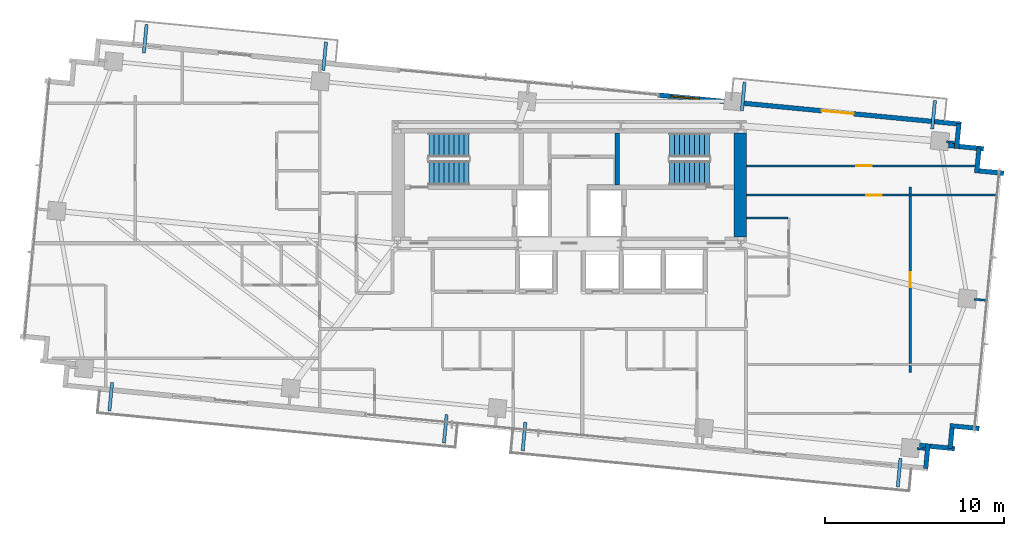
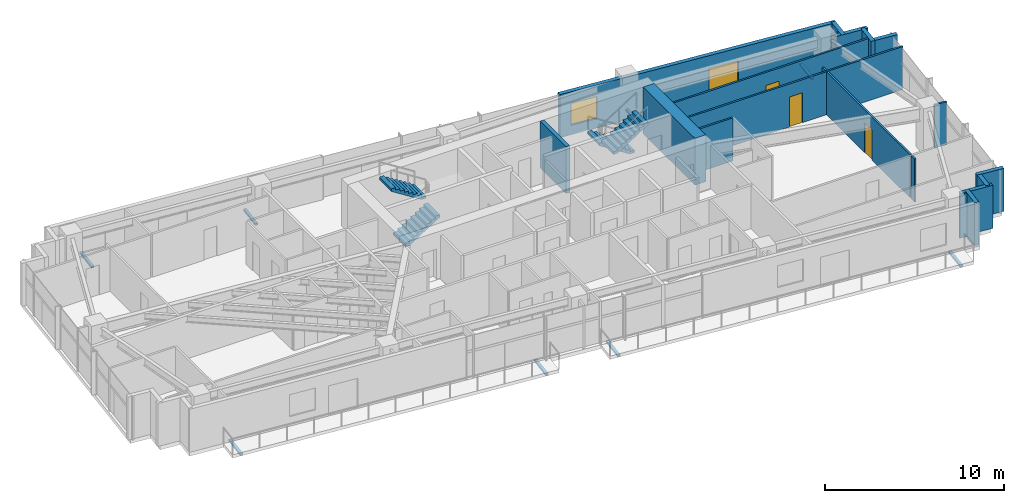
# One storey, part 18 of 20: 20 walls, 8 discrete accessories, 4 doors, 4 stair flights, 1 window, 5 openings, 2 elements without a shape of their own.
"""IFC4 building model written with IfcOpenShell, lengths in metres."""

from ifc_helpers import new_model, si_unit, direction, frame, frame_2d, origin, origin_2d, place, context, subcontext, project, spatial, polyline, rectangle, outline, extrude, source, transform, mapped, material, layer, layer_set, type_object, type_shapes, element, fill, aggregate, save


model = new_model("IFC4")

# Units and contexts
model_context = context("Model", 3, precision=1e-05, world=origin(), true_north=direction((0.0, 1.0)))
body_context = subcontext(model_context, "Body", "Model", "MODEL_VIEW")
ifc_project = project(units=[si_unit("LENGTHUNIT", "METRE"), si_unit("AREAUNIT", "SQUARE_METRE"), si_unit("VOLUMEUNIT", "CUBIC_METRE"), si_unit("PLANEANGLEUNIT", "RADIAN"), si_unit("MASSUNIT", "GRAM", prefix="KILO")], contexts=[model_context])

# Site, building, storey
site_placement = place(None, origin())
site = spatial("IfcSite", under=ifc_project, at=site_placement, CompositionType="ELEMENT")
building_placement = place(site_placement, origin())
building = spatial("IfcBuilding", under=site, at=building_placement, Name="Astriad Promenade Condominiums", CompositionType="ELEMENT")
storey_placement = place(building_placement, frame((0.0, 0.0, 131.0)))
storey = spatial("IfcBuildingStorey", under=building, at=storey_placement, Name="L37", CompositionType="ELEMENT", Elevation=131.0)

# Walls
ifc_material_1 = material(Name="Concrete C60/75", Category="concrete")
ifc_layer_1 = layer(ifc_material_1, 0.699951171875)
ifc_layer_set_1 = layer_set([ifc_layer_1], Name="Concrete C60/75")
wall_type_1 = type_object("IfcWallType", Name="CW-SHEAR-700", PredefinedType="SHEAR", material=ifc_layer_set_1)
wall_1_placement = place(storey_placement, frame((45.550048828125, 17.802001953125, 0.0), z_axis=(0.0, 0.0, 1.0), x_axis=(0.0, 1.0, 0.0)))
element("IfcWall", 1, at=wall_1_placement, inside=storey, type_object=wall_type_1, Name="CW-CORE-E-L37", PredefinedType="SHEAR", context=body_context, shape_type="SweptSolid", body=[
    extrude(rectangle(XDim=5.7958984375, YDim=0.699951171875, at=frame_2d((2.89794921875, 0.0))), origin(), (0.0, 0.0, 1.0), 3.199951171875),
])
ifc_material_2 = material(Name="Concrete C50/60", Category="concrete")
ifc_layer_2 = layer(ifc_material_2, 0.25)
ifc_layer_set_2 = layer_set([ifc_layer_2], Name="Concrete C50/60")
wall_type_2 = type_object("IfcWallType", Name="WALL-CORE-INT-250", PredefinedType="SOLIDWALL", material=ifc_layer_set_2)
wall_2_placement = place(storey_placement, frame((38.675048828125, 20.701904296875, 0.0), z_axis=(0.0, 0.0, 1.0), x_axis=(0.0, 1.0, 0.0)))
element("IfcWall", 2, at=wall_2_placement, inside=storey, type_object=wall_type_2, Name="CW-ST2-W-L37", PredefinedType="SOLIDWALL", context=body_context, shape_type="SweptSolid", body=[
    extrude(rectangle(XDim=2.89599609375, YDim=0.25, at=frame_2d((1.447998046875, 0.0))), origin(), (0.0, 0.0, 1.0), 3.199951171875),
])

# Wall, openings, door, window
ifc_material_3 = material(Name="Precast concrete C50/60", Category="concrete")
ifc_layer_3 = layer(ifc_material_3, 0.260009765625)
ifc_layer_set_3 = layer_set([ifc_layer_3], Name="Precast concrete C50/60")
wall_type_3 = type_object("IfcWallType", Name="WALL-EXT-TWR-260", PredefinedType="STANDARD", material=ifc_layer_set_3)
wall_3_placement = place(storey_placement, frame((40.9833984375, 25.726806640625, 0.0), z_axis=(0.0, 0.0, 1.0), x_axis=(0.995395844771, -0.095849424686, 0.0)))
wall_3 = element("IfcWall", 3, at=wall_3_placement, inside=storey, type_object=wall_type_3, Name="W-EXT-L37-N2", PredefinedType="STANDARD", context=body_context, shape_type="SweptSolid", body=[
    extrude(rectangle(XDim=17.009765625, YDim=0.260009765625, at=frame_2d((8.5048828125, 0.0))), origin(), (0.0, 0.0, 1.0), 2.93994140625),
])
opening_1_placement = place(wall_3_placement, frame((9.179931640625, 0.0, 0.0)))
opening_1 = element("IfcOpeningElement", 4, at=opening_1_placement, cuts=wall_3, Name="Opening BD-1822-SLD", PredefinedType="OPENING", context=body_context, shape_type="SweptSolid", body=[
    extrude(rectangle(XDim=1.800048828125, YDim=2.06005859375, at=frame_2d((0.89990234375, 1.030029296875))), frame((0.0, 0.139892578125, 0.0), z_axis=(0.0, -1.0, 0.0), x_axis=(1.0, 0.0, 0.0)), (0.0, 0.0, 1.0), 0.280029296875),
])
opening_2_placement = place(wall_3_placement, frame((0.699951171875, 0.0, 0.64990234375)))
opening_2 = element("IfcOpeningElement", 5, at=opening_2_placement, cuts=wall_3, Name="Opening WIN-TWR-1620", PredefinedType="OPENING", context=body_context, shape_type="SweptSolid", body=[
    extrude(rectangle(XDim=1.60009765625, YDim=1.5, at=frame_2d((0.800048828125, 0.75))), frame((0.0, 0.139892578125, 0.0), z_axis=(0.0, -1.0, 0.0), x_axis=(1.0, 0.0, 0.0)), (0.0, 0.0, 1.0), 0.280029296875),
])
ifc_material_4 = material(Name="Thermally Broken Aluminium Sliding Balcony Door", Category="aluminium")
door_type_1 = type_object("IfcDoorType", Name="BD-1822-SLD", OperationType="NOTDEFINED", PredefinedType="DOOR", material=ifc_material_4)
shared_shape_1 = source(origin(), body_context, "Body", "SweptSolid", [
    extrude(rectangle(XDim=1.800048828125, YDim=2.06005859375, at=frame_2d((0.89990234375, 1.030029296875))), frame((0.0, 0.02490234375, 0.0), z_axis=(0.0, -1.0, 0.0), x_axis=(1.0, 0.0, 0.0)), (0.0, 0.0, 1.0), 0.050048828125),
])
type_shapes(door_type_1, [shared_shape_1])
door_1_placement = place(opening_1_placement, origin())
door_1 = element("IfcDoor", 6, at=door_1_placement, inside=storey, type_object=door_type_1, Name="BD-L37-NE", OperationType="SLIDING_TO_RIGHT", OverallHeight=2.06005859375, OverallWidth=1.800048828125, PredefinedType="DOOR", context=body_context, shape_type="MappedRepresentation", body=[
    mapped(shared_shape_1, transform((0.0, 0.0, 0.0), scale=1.0)),
])
fill(opening_1, door_1)
ifc_material_5 = material(Name="Dark Tinted Triple-Glazed Aluminium Window", Category="aluminium")
window_type = type_object("IfcWindowType", Name="WIN-TWR-1620", PartitioningType="SINGLE_PANEL", PredefinedType="WINDOW", material=ifc_material_5)
shared_shape_2 = source(origin(), body_context, "Body", "SweptSolid", [
    extrude(rectangle(XDim=1.60009765625, YDim=1.5, at=frame_2d((0.800048828125, 0.75))), frame((0.0, 0.030029296875, 0.0), z_axis=(0.0, -1.0, 0.0), x_axis=(1.0, 0.0, 0.0)), (0.0, 0.0, 1.0), 0.06005859375),
])
type_shapes(window_type, [shared_shape_2])
window_placement = place(opening_2_placement, origin())
window = element("IfcWindow", 7, at=window_placement, inside=storey, type_object=window_type, Name="WIN-L37-NE", OverallHeight=1.5, OverallWidth=1.60009765625, PartitioningType="SINGLE_PANEL", PredefinedType="WINDOW", context=body_context, shape_type="MappedRepresentation", body=[
    mapped(shared_shape_2, transform((0.0, 0.0, 0.0), scale=1.0)),
])
fill(opening_2, window)

# Walls
wall_4_placement = place(storey_placement, frame((57.787109375, 24.123779296875, 0.0), z_axis=(0.0, 0.0, 1.0), x_axis=(-0.095915846097, -0.995389446633, 0.0)))
element("IfcWall", 8, at=wall_4_placement, inside=storey, type_object=wall_type_3, Name="W-SER-L37-09", PredefinedType="STANDARD", context=body_context, shape_type="SweptSolid", body=[
    extrude(rectangle(XDim=1.394775390625, YDim=0.260009765625, at=frame_2d((0.697265625, 0.0))), origin(), (0.0, 0.0, 1.0), 2.93994140625),
])
wall_5_placement = place(storey_placement, frame((57.199951171875, 22.909423828125, 0.0), z_axis=(0.0, 0.0, 1.0), x_axis=(0.995401789159, -0.095787672171, 0.0)))
element("IfcWall", 9, at=wall_5_placement, inside=storey, type_object=wall_type_3, Name="W-SER-L37-10", PredefinedType="STANDARD", context=body_context, shape_type="SweptSolid", body=[
    extrude(rectangle(XDim=1.977783203125, YDim=0.260009765625, at=frame_2d((0.98876953125, 0.0))), origin(), (0.0, 0.0, 1.0), 2.93994140625),
])
for number, where, z_axis, x_axis, name in (
    (10, (58.91162109375, 22.759765625, 0.0), (0.0, 0.0, 1.0), (-0.096072523012, -0.995374336781, 0.0), "W-SER-L37-11"),
    (11, (58.904541015625, 21.489501953125, 0.0), (0.0, 0.0, 1.0), (0.995391056452, -0.09589913835, 0.0), "W-SER-L37-12"),
):
    element("IfcWall", number, at=place(storey_placement, frame(where, z_axis=z_axis, x_axis=x_axis)), inside=storey, type_object=wall_type_3, Name=name, PredefinedType="STANDARD", context=body_context, shape_type="SweptSolid", body=[
        extrude(rectangle(XDim=1.39501953125, YDim=0.260009765625, at=frame_2d((0.697509765625, 0.0))), origin(), (0.0, 0.0, 1.0), 2.93994140625),
    ])
wall_6_placement = place(storey_placement, frame((58.918701171875, 7.081787109375, 0.0), z_axis=(0.0, 0.0, 1.0), x_axis=(-0.995393194909, 0.095876939504, 0.0)))
element("IfcWall", 12, at=wall_6_placement, inside=storey, type_object=wall_type_3, Name="W-SER-L37-14", PredefinedType="STANDARD", context=body_context, shape_type="SweptSolid", body=[
    extrude(rectangle(XDim=1.639892578125, YDim=0.260009765625, at=frame_2d((0.81982421875, 0.0))), origin(), (0.0, 0.0, 1.0), 2.93994140625),
])
wall_7_placement = place(storey_placement, frame((57.40478515625, 7.112060546875, 0.0), z_axis=(0.0, 0.0, 1.0), x_axis=(-0.095971333708, -0.995384098279, 0.0)))
element("IfcWall", 13, at=wall_7_placement, inside=storey, type_object=wall_type_3, Name="W-SER-L37-15", PredefinedType="STANDARD", context=body_context, shape_type="SweptSolid", body=[
    extrude(rectangle(XDim=1.14990234375, YDim=0.260009765625, at=frame_2d((0.574951171875, 0.0))), origin(), (0.0, 0.0, 1.0), 2.93994140625),
])
wall_8_placement = place(storey_placement, frame((57.5546875, 5.95751953125, 0.0), z_axis=(0.0, 0.0, 1.0), x_axis=(-0.995401789159, 0.095787672171, 0.0)))
element("IfcWall", 14, at=wall_8_placement, inside=storey, type_object=wall_type_3, Name="W-SER-L37-16", PredefinedType="STANDARD", context=body_context, shape_type="SweptSolid", body=[
    extrude(rectangle(XDim=1.977783203125, YDim=0.260009765625, at=frame_2d((0.98876953125, 0.0))), origin(), (0.0, 0.0, 1.0), 2.93994140625),
])
wall_9_placement = place(storey_placement, frame((56.064208984375, 6.231689453125, 0.0), z_axis=(0.0, 0.0, 1.0), x_axis=(-0.09589913835, -0.995391056452, 0.0)))
element("IfcWall", 15, at=wall_9_placement, inside=storey, type_object=wall_type_3, Name="W-SER-L37-17", PredefinedType="STANDARD", context=body_context, shape_type="SweptSolid", body=[
    extrude(rectangle(XDim=1.39501953125, YDim=0.260009765625, at=frame_2d((0.697509765625, 0.0))), origin(), (0.0, 0.0, 1.0), 2.93994140625),
])
ifc_material_6 = material(Name="Acoustic Metal-Stud Gypsum Partition")
ifc_layer_4 = layer(ifc_material_6, 0.1201171875)
ifc_layer_set_4 = layer_set([ifc_layer_4], Name="Acoustic Metal-Stud Gypsum Partition")
wall_type_4 = type_object("IfcWallType", Name="WALL-PART-120", PredefinedType="PARTITIONING", material=ifc_layer_set_4)
wall_10_placement = place(storey_placement, frame((45.902099609375, 18.85009765625, 0.0), z_axis=(0.0, 0.0, 1.0), x_axis=(1.0, 0.0, 0.0)))
element("IfcWall", 16, at=wall_10_placement, inside=storey, type_object=wall_type_4, Name="PT-L37-E1-PN", PredefinedType="PARTITIONING", context=body_context, shape_type="SweptSolid", body=[
    extrude(rectangle(XDim=2.31591796875, YDim=0.1201171875, at=frame_2d((1.157958984375, 0.0))), origin(), (0.0, 0.0, 1.0), 2.93994140625),
])

# Wall, opening, door
wall_11_placement = place(storey_placement, frame((45.902099609375, 21.76806640625, 0.0), z_axis=(0.0, 0.0, 1.0), x_axis=(1.0, 0.0, 0.0)))
wall_11 = element("IfcWall", 17, at=wall_11_placement, inside=storey, type_object=wall_type_4, Name="PT-L37-E1-B1", PredefinedType="PARTITIONING", context=body_context, shape_type="SweptSolid", body=[
    extrude(rectangle(XDim=12.78125, YDim=0.1201171875, at=frame_2d((6.390625, 0.0))), origin(), (0.0, 0.0, 1.0), 2.93994140625),
])
opening_3_placement = place(wall_11_placement, frame((6.14599609375, 0.0, 0.0)))
opening_3 = element("IfcOpeningElement", 18, at=opening_3_placement, cuts=wall_11, Name="Opening D-INT-085", PredefinedType="OPENING", context=body_context, shape_type="SweptSolid", body=[
    extrude(rectangle(XDim=0.85009765625, YDim=2.050048828125, at=frame_2d((0.425048828125, 1.02490234375))), frame((0.0, 0.070068359375, 0.0), z_axis=(0.0, -1.0, 0.0), x_axis=(1.0, 0.0, 0.0)), (0.0, 0.0, 1.0), 0.14013671875),
])
ifc_material_7 = material(Name="Painted Solid-Core Timber Room Door", Category="wood")
door_type_2 = type_object("IfcDoorType", Name="D-INT-085", OperationType="NOTDEFINED", PredefinedType="DOOR", material=ifc_material_7)
shared_shape_3 = source(origin(), body_context, "Body", "SweptSolid", [
    extrude(rectangle(XDim=0.85009765625, YDim=2.050048828125, at=frame_2d((0.425048828125, 1.02490234375))), frame((0.0, 0.02490234375, 0.0), z_axis=(0.0, -1.0, 0.0), x_axis=(1.0, 0.0, 0.0)), (0.0, 0.0, 1.0), 0.050048828125),
])
type_shapes(door_type_2, [shared_shape_3])
door_2_placement = place(opening_3_placement, origin())
door_2 = element("IfcDoor", 19, at=door_2_placement, inside=storey, type_object=door_type_2, Name="D-BD1-L37-E1", OperationType="SINGLE_SWING_LEFT", OverallHeight=2.050048828125, OverallWidth=0.85009765625, PredefinedType="DOOR", context=body_context, shape_type="MappedRepresentation", body=[
    mapped(shared_shape_3, transform((0.0, 0.0, 0.0), scale=1.0)),
])
fill(opening_3, door_2)

wall_12_placement = place(storey_placement, frame((45.902099609375, 20.135986328125, 0.0), z_axis=(0.0, 0.0, 1.0), x_axis=(1.0, 0.0, 0.0)))
wall_12 = element("IfcWall", 20, at=wall_12_placement, inside=storey, type_object=wall_type_4, Name="PT-L37-E1-WDN2", PredefinedType="PARTITIONING", context=body_context, shape_type="SweptSolid", body=[
    extrude(rectangle(XDim=14.062744140625, YDim=0.1201171875, at=frame_2d((7.03125, 0.0))), origin(), (0.0, 0.0, 1.0), 2.93994140625),
])
opening_4_placement = place(wall_12_placement, frame((6.7080078125, 0.0, 0.0)))
opening_4 = element("IfcOpeningElement", 21, at=opening_4_placement, cuts=wall_12, Name="Opening D-INT-085", PredefinedType="OPENING", context=body_context, shape_type="SweptSolid", body=[
    extrude(rectangle(XDim=0.85009765625, YDim=2.050048828125, at=frame_2d((0.425048828125, 1.02490234375))), frame((0.0, 0.070068359375, 0.0), z_axis=(0.0, -1.0, 0.0), x_axis=(1.0, 0.0, 0.0)), (0.0, 0.0, 1.0), 0.14013671875),
])
door_3_placement = place(opening_4_placement, origin())
door_3 = element("IfcDoor", 22, at=door_3_placement, inside=storey, type_object=door_type_2, Name="D-WDN2-L37-E1", OperationType="SINGLE_SWING_RIGHT", OverallHeight=2.050048828125, OverallWidth=0.85009765625, PredefinedType="DOOR", context=body_context, shape_type="MappedRepresentation", body=[
    mapped(shared_shape_3, transform((0.0, 0.0, 0.0), scale=1.0)),
])
fill(opening_4, door_3)

# Wall
wall_13_placement = place(storey_placement, frame((55.06494140625, 10.22412109375, 0.0), z_axis=(0.0, 0.0, 1.0), x_axis=(0.0, 1.0, 0.0)))
element("IfcWall", 23, at=wall_13_placement, inside=storey, type_object=wall_type_4, Name="PT-L37-E1-WDV3", PredefinedType="PARTITIONING", context=body_context, shape_type="SweptSolid", body=[
    extrude(rectangle(XDim=0.3779296875, YDim=0.1201171875, at=frame_2d((0.18896484375, 0.0))), origin(), (0.0, 0.0, 1.0), 2.93994140625),
])

# Wall, opening, door
wall_14_placement = place(storey_placement, frame((55.06494140625, 10.72607421875, 0.0), z_axis=(0.0, 0.0, 1.0), x_axis=(0.0, 1.0, 0.0)))
wall_14 = element("IfcWall", 24, at=wall_14_placement, inside=storey, type_object=wall_type_4, Name="PT-L37-E1-WDV3-S2", PredefinedType="PARTITIONING", context=body_context, shape_type="SweptSolid", body=[
    extrude(rectangle(XDim=9.347900390625, YDim=0.1201171875, at=frame_2d((4.673828125, 0.0))), origin(), (0.0, 0.0, 1.0), 2.93994140625),
])
opening_5_placement = place(wall_14_placement, frame((4.2490234375, 0.0, 0.0)))
opening_5 = element("IfcOpeningElement", 25, at=opening_5_placement, cuts=wall_14, Name="Opening D-INT-085", PredefinedType="OPENING", context=body_context, shape_type="SweptSolid", body=[
    extrude(rectangle(XDim=0.85009765625, YDim=2.050048828125, at=frame_2d((0.425048828125, 1.02490234375))), frame((0.0, 0.070068359375, 0.0), z_axis=(0.0, -1.0, 0.0), x_axis=(1.0, 0.0, 0.0)), (0.0, 0.0, 1.0), 0.14013671875),
])
door_4_placement = place(opening_5_placement, origin())
door_4 = element("IfcDoor", 26, at=door_4_placement, inside=storey, type_object=door_type_2, Name="D-WDV3-L37-E1", OperationType="SINGLE_SWING_LEFT", OverallHeight=2.050048828125, OverallWidth=0.85009765625, PredefinedType="DOOR", context=body_context, shape_type="MappedRepresentation", body=[
    mapped(shared_shape_3, transform((0.0, 0.0, 0.0), scale=1.0)),
])
fill(opening_5, door_4)

# Walls
wall_15_placement = place(storey_placement, frame((55.06494140625, 20.197998046875, 0.0), z_axis=(0.0, 0.0, 1.0), x_axis=(0.0, 1.0, 0.0)))
element("IfcWall", 27, at=wall_15_placement, inside=storey, type_object=wall_type_4, Name="PT-L37-E1-WDV3-S3", PredefinedType="PARTITIONING", context=body_context, shape_type="SweptSolid", body=[
    extrude(rectangle(XDim=0.3779296875, YDim=0.1201171875, at=frame_2d((0.18896484375, 0.0))), origin(), (0.0, 0.0, 1.0), 2.93994140625),
])
for number, where, z_axis, x_axis, name in (
    (28, (55.4453125, 5.959716796875, 0.0), (0.0, 0.0, 1.0), (0.995384576284, -0.09596637586, 0.0), "PT-PIL-L37-PC05-12"),
    (29, (57.09765625, 23.120361328125, 0.0), (0.0, 0.0, 1.0), (0.995384576284, -0.09596637586, 0.0), "PT-PIL-L37-PC10-17"),
):
    element("IfcWall", number, at=place(storey_placement, frame(where, z_axis=z_axis, x_axis=x_axis)), inside=storey, type_object=wall_type_4, Name=name, PredefinedType="PARTITIONING", context=body_context, shape_type="SweptSolid", body=[
        extrude(rectangle(XDim=0.4580078125, YDim=0.1201171875, at=frame_2d((0.22900390625, 0.0))), origin(), (0.0, 0.0, 1.0), 2.93994140625),
    ])
wall_16_placement = place(storey_placement, frame((58.640380859375, 14.31201171875, 0.0), z_axis=(0.0, 0.0, 1.0), x_axis=(0.995377786728, -0.096036772582, 0.0)))
element("IfcWall", 30, at=wall_16_placement, inside=storey, type_object=wall_type_4, Name="PT-PIL-L37-PC12-19", PredefinedType="PARTITIONING", context=body_context, shape_type="SweptSolid", body=[
    extrude(rectangle(XDim=0.760009765625, YDim=0.1201171875, at=frame_2d((0.3798828125, 0.0))), origin(), (0.0, 0.0, 1.0), 2.93994140625),
])

# Stair, stair flights
stair_type = type_object("IfcStairType", Name="STR-CORE-1350", PredefinedType="HALF_TURN_STAIR", material=ifc_material_2)
stair_1_placement = place(storey_placement, origin())
stair_1 = element("IfcStair", 31, at=stair_1_placement, inside=storey, type_object=stair_type, Name="L37 Enclosed Core Exit Stair ST-1", PredefinedType="HALF_TURN_STAIR")
stair_flight_type = type_object("IfcStairFlightType", Name="SFL-CORE-1350", PredefinedType="STRAIGHT", material=ifc_material_2)
shared_shape_4 = source(origin(), body_context, "Body", "SweptSolid", [
    extrude(outline(polyline([(0.0, 0.0), (0.0, 0.177734375), (0.280029296875, 0.177734375), (0.280029296875, 0.35546875), (0.56005859375, 0.35546875), (0.56005859375, 0.533447265625), (0.840087890625, 0.533447265625), (0.840087890625, 0.711181640625), (1.1201171875, 0.711181640625), (1.1201171875, 0.888916015625), (1.39990234375, 0.888916015625), (1.39990234375, 1.066650390625), (1.679931640625, 1.066650390625), (1.679931640625, 1.244384765625), (1.9599609375, 1.244384765625), (1.9599609375, 1.422119140625), (2.239990234375, 1.422119140625), (2.239990234375, 1.60009765625), (2.239990234375, 1.24462890625), (0.27978515625, 0.0), (0.0, 0.0)])), frame((0.0, 0.675048828125, 0.0), z_axis=(0.0, -1.0, 0.0), x_axis=(1.0, 0.0, 0.0)), (0.0, 0.0, 1.0), 1.35009765625),
])
type_shapes(stair_flight_type, [shared_shape_4])
stair_flight_1_placement = place(storey_placement, frame((28.14990234375, 21.375, 0.0), z_axis=(0.0, 0.0, 1.0), x_axis=(1.0, 0.0, 0.0)))
stair_flight_1 = element("IfcStairFlight", 32, at=stair_flight_1_placement, type_object=stair_flight_type, Name="ST-1 flight 1", NumberOfRisers=9, NumberOfTreads=8, PredefinedType="STRAIGHT", RiserHeight=0.177777778, TreadLength=0.28, context=body_context, shape_type="MappedRepresentation", body=[
    mapped(shared_shape_4, transform((0.0, 0.0, 0.0), scale=1.0)),
])
stair_flight_2_placement = place(storey_placement, frame((30.389892578125, 22.925048828125, 1.60009765625), z_axis=(0.0, 0.0, 1.0), x_axis=(-1.0, 0.0, 0.0)))
stair_flight_2 = element("IfcStairFlight", 33, at=stair_flight_2_placement, type_object=stair_flight_type, Name="ST-1 flight 2", NumberOfRisers=9, NumberOfTreads=8, PredefinedType="STRAIGHT", RiserHeight=0.177777778, TreadLength=0.28, context=body_context, shape_type="MappedRepresentation", body=[
    mapped(shared_shape_4, transform((0.0, 0.0, 0.0), scale=1.0)),
])
aggregate(stair_1, [stair_flight_1, stair_flight_2])

stair_2_placement = place(storey_placement, origin())
stair_2 = element("IfcStair", 34, at=stair_2_placement, inside=storey, type_object=stair_type, Name="L37 Enclosed Core Exit Stair ST-2", PredefinedType="HALF_TURN_STAIR")
stair_flight_3_placement = place(storey_placement, frame((43.85009765625, 22.925048828125, 0.0), z_axis=(0.0, 0.0, 1.0), x_axis=(-1.0, 0.0, 0.0)))
stair_flight_3 = element("IfcStairFlight", 35, at=stair_flight_3_placement, type_object=stair_flight_type, Name="ST-2 flight 1", NumberOfRisers=9, NumberOfTreads=8, PredefinedType="STRAIGHT", RiserHeight=0.177777778, TreadLength=0.28, context=body_context, shape_type="MappedRepresentation", body=[
    mapped(shared_shape_4, transform((0.0, 0.0, 0.0), scale=1.0)),
])
stair_flight_4_placement = place(storey_placement, frame((41.610107421875, 21.375, 1.60009765625), z_axis=(0.0, 0.0, 1.0), x_axis=(1.0, 0.0, 0.0)))
stair_flight_4 = element("IfcStairFlight", 36, at=stair_flight_4_placement, type_object=stair_flight_type, Name="ST-2 flight 2", NumberOfRisers=9, NumberOfTreads=8, PredefinedType="STRAIGHT", RiserHeight=0.177777778, TreadLength=0.28, context=body_context, shape_type="MappedRepresentation", body=[
    mapped(shared_shape_4, transform((0.0, 0.0, 0.0), scale=1.0)),
])
aggregate(stair_2, [stair_flight_3, stair_flight_4])

# Discrete accessories
ifc_material_8 = material(Name="Steel ASTM A572 Grade 50", Category="steel")
discrete_accessory_type = type_object("IfcDiscreteAccessoryType", Name="STEEL BALCONY OUTRIGGER BRACKET", PredefinedType="BRACKET", material=ifc_material_8)
shared_shape_5 = source(origin(), body_context, "Body", "SweptSolid", [
    extrude(rectangle(XDim=1.60009765625, YDim=0.179931640625, at=origin_2d()), origin(), (0.0, 0.0, 1.0), 0.1220703125),
])
type_shapes(discrete_accessory_type, [shared_shape_5])
for number, where, z_axis, x_axis, name in (
    (37, (10.368896484375, 8.86328125, -0.340087890625), (0.0, 0.0, 1.0), (-0.09584575252, -0.995396198367, 0.0), "Balcony Outrigger Bracket BAL-L37-SW-A"),
    (38, (29.071533203125, 7.0625, -0.340087890625), (0.0, 0.0, 1.0), (-0.09584575252, -0.995396198367, 0.0), "Balcony Outrigger Bracket BAL-L37-SW-B"),
    (39, (33.47314453125, 6.638671875, -0.340087890625), (0.0, 0.0, 1.0), (-0.09584575252, -0.995396198367, 0.0), "Balcony Outrigger Bracket BAL-L37-SE-A"),
    (40, (54.443115234375, 4.619384765625, -0.340087890625), (0.0, 0.0, 1.0), (-0.09584575252, -0.995396198367, 0.0), "Balcony Outrigger Bracket BAL-L37-SE-B"),
    (41, (12.29541015625, 28.870849609375, -0.340087890625), (0.0, 0.0, 1.0), (0.09584575252, 0.995396198367, 0.0), "Balcony Outrigger Bracket BAL-L37-NW-A"),
    (42, (22.326171875, 27.905029296875, -0.340087890625), (0.0, 0.0, 1.0), (0.09584575252, 0.995396198367, 0.0), "Balcony Outrigger Bracket BAL-L37-NW-B"),
    (43, (45.727783203125, 25.651611328125, -0.340087890625), (0.0, 0.0, 1.0), (0.09584575252, 0.995396198367, 0.0), "Balcony Outrigger Bracket BAL-L37-NE-A"),
    (44, (56.36962890625, 24.626953125, -0.340087890625), (0.0, 0.0, 1.0), (0.09584575252, 0.995396198367, 0.0), "Balcony Outrigger Bracket BAL-L37-NE-B"),
):
    element("IfcDiscreteAccessory", number, at=place(storey_placement, frame(where, z_axis=z_axis, x_axis=x_axis)), inside=storey, type_object=discrete_accessory_type, Name=name, PredefinedType="BRACKET", context=body_context, shape_type="MappedRepresentation", body=[
        mapped(shared_shape_5, transform((0.0, 0.0, 0.0), scale=1.0)),
    ])

save(model, "model.ifc")
